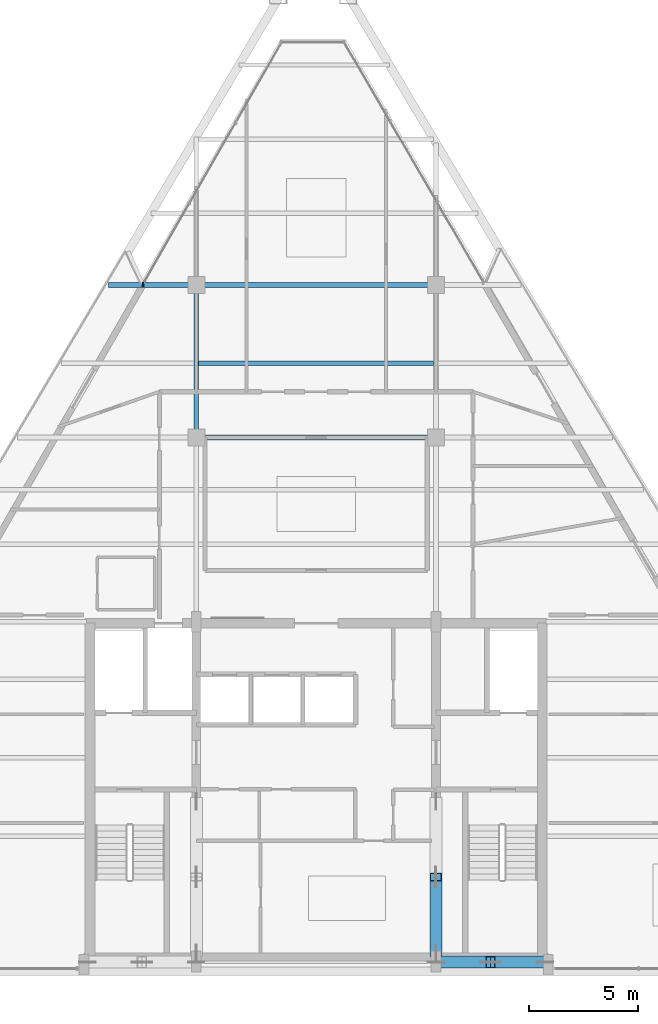
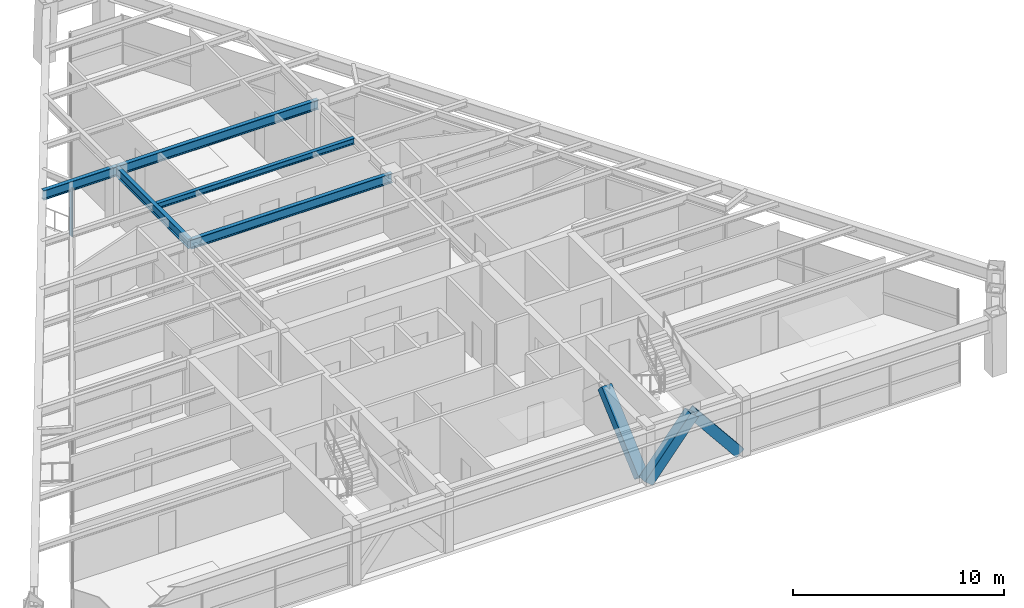
# One storey, part 4 of 13: 5 beams, 5 members, 1 element without a shape of its own.
"""IFC4 building model written with IfcOpenShell, lengths in metres."""

import ifcopenshell
import ifcopenshell.guid

model = None  # the IFC model being written
_history = None  # IfcOwnerHistory: only IFC2X3 demands one
_inside = {}  # id of a spatial element -> (the spatial element, [elements in it])
_under = {}  # id of a project, library or spatial element -> (it, [spatial elements below it])
_declared = {}  # id of a project -> (the project, [libraries it declares])
_typed = {}  # id of a type object -> (the type object, [elements of that type])
_made_of = {}  # id of a material, layer set ... -> (it, [elements and type objects made of it])


def new_model(schema):
    """Start an empty IFC model of exactly this schema.

    Asked for "IFC4X3", IfcOpenShell would pick the latest addendum, in which some entities
    have other attributes; the version numbers below select the first issue.
    IFC2X3 requires an IfcOwnerHistory on every rooted entity: one is made here for all.
    """
    global model, _history
    if schema == "IFC4X3":
        model = ifcopenshell.file(schema_version=(4, 3, 0, 0))
    else:
        model = ifcopenshell.file(schema=schema)
    _inside.clear()
    _under.clear()
    _declared.clear()
    _typed.clear()
    _made_of.clear()
    _history = None
    if model.schema == "IFC2X3":
        org = make("IfcOrganization", Name="unknown")
        user = make(
            "IfcPersonAndOrganization",
            ThePerson=make("IfcPerson", FamilyName="unknown"),
            TheOrganization=org,
        )
        app = make(
            "IfcApplication",
            ApplicationDeveloper=org,
            Version="unknown",
            ApplicationFullName="unknown",
            ApplicationIdentifier="unknown",
        )
        _history = make(
            "IfcOwnerHistory",
            OwningUser=user,
            OwningApplication=app,
            ChangeAction="ADDED",
            CreationDate=0,
        )
    return model


def make(cls, **values):
    """One entity of the class cls with the attributes given. An attribute that is None is left unset."""
    return model.create_entity(
        cls, **{name: value for name, value in values.items() if value is not None}
    )


def rooted(cls, **values):
    """An entity with a GlobalId (a new one), such as an element, a storey or a relation."""
    return make(cls, GlobalId=ifcopenshell.guid.new(), OwnerHistory=_history, **values)


def si_unit(unit_type, name, prefix=None):
    """IfcSIUnit, for example si_unit("LENGTHUNIT", "METRE", prefix="MILLI")."""
    return make("IfcSIUnit", UnitType=unit_type, Prefix=prefix, Name=name)


def assignment(units):
    """IfcUnitAssignment: the units of a project."""
    return None if units is None else make("IfcUnitAssignment", Units=units)


def point(xyz):
    """IfcCartesianPoint."""
    return None if xyz is None else make("IfcCartesianPoint", Coordinates=xyz)


def direction(xyz):
    """IfcDirection."""
    return None if xyz is None else make("IfcDirection", DirectionRatios=xyz)


def frame(location, z_axis=None, x_axis=None):
    """IfcAxis2Placement3D, a coordinate frame: its origin and axes. An axis left out is left unset."""
    return make(
        "IfcAxis2Placement3D",
        Location=point(location),
        Axis=direction(z_axis),
        RefDirection=direction(x_axis),
    )


def frame_2d(location, x_axis=None):
    """IfcAxis2Placement2D, a coordinate frame in the plane: its origin and x axis."""
    return make(
        "IfcAxis2Placement2D", Location=point(location), RefDirection=direction(x_axis)
    )


def origin():
    """The frame at (0, 0, 0) with its axes left unset."""
    return frame((0.0, 0.0, 0.0))


def origin_2d():
    """The frame at (0, 0) in the plane with its x axis left unset."""
    return frame_2d((0.0, 0.0))


def place(relative_to, where):
    """IfcLocalPlacement: puts the frame where relative to a parent placement (None: the world)."""
    return make(
        "IfcLocalPlacement", PlacementRelTo=relative_to, RelativePlacement=where
    )


def context(
    kind, dimensions, precision=None, world=None, true_north=None, identifier=None
):
    """IfcGeometricRepresentationContext, for example the 3D "Model" context."""
    return make(
        "IfcGeometricRepresentationContext",
        ContextIdentifier=identifier,
        ContextType=kind,
        CoordinateSpaceDimension=dimensions,
        Precision=precision,
        WorldCoordinateSystem=world,
        TrueNorth=true_north,
    )


def subcontext(parent, identifier, kind, view, scale=None):
    """IfcGeometricRepresentationSubContext, for example "Body" below "Model"."""
    return make(
        "IfcGeometricRepresentationSubContext",
        ContextIdentifier=identifier,
        ContextType=kind,
        ParentContext=parent,
        TargetScale=scale,
        TargetView=view,
    )


def project(units=None, contexts=None):
    """IfcProject with its units and contexts."""
    return rooted(
        "IfcProject",
        Name="project",
        RepresentationContexts=contexts,
        UnitsInContext=assignment(units),
    )


def spatial(cls, under=None, at=None, **own):
    """A site, building, storey or space (cls), placed at a placement, below another one or the project."""
    s = rooted(cls, ObjectPlacement=at, **own)
    if under is not None:
        _under.setdefault(under.id(), (under, []))[1].append(s)
    return s


def profile(cls, at=None, kind="AREA", **sizes):
    """A parametric profile (cls). Its sizes go by their IFC names, for example OverallWidth=200.0."""
    return make(cls, ProfileType=kind, Position=at, **sizes)


def rectangle(**sizes):
    """IfcRectangleProfileDef."""
    return profile("IfcRectangleProfileDef", **sizes)


def hollow_rectangle(**sizes):
    """IfcRectangleHollowProfileDef."""
    return profile("IfcRectangleHollowProfileDef", **sizes)


def i_section(**sizes):
    """IfcIShapeProfileDef."""
    return profile("IfcIShapeProfileDef", **sizes)


def extrude(swept, where, along, depth):
    """IfcExtrudedAreaSolid: the profile swept, set in the frame where, extruded along a direction by depth."""
    return make(
        "IfcExtrudedAreaSolid",
        SweptArea=swept,
        Position=where,
        ExtrudedDirection=direction(along),
        Depth=depth,
    )


def shape(context_of_items, identifier, shape_type, items):
    """IfcShapeRepresentation: the items that make up one representation, for example the "Body"."""
    return make(
        "IfcShapeRepresentation",
        ContextOfItems=context_of_items,
        RepresentationIdentifier=identifier,
        RepresentationType=shape_type,
        Items=items,
    )


def source(mapping_origin, context_of_items, identifier, shape_type, items):
    """IfcRepresentationMap: a shape defined once, which mapped items show again and again."""
    return make(
        "IfcRepresentationMap",
        MappingOrigin=mapping_origin,
        MappedRepresentation=shape(context_of_items, identifier, shape_type, items),
    )


def transform(
    local_origin,
    x_axis=None,
    y_axis=None,
    z_axis=None,
    scale=None,
    scale2=None,
    scale3=None,
    uniform=True,
):
    """IfcCartesianTransformationOperator3D, or its non-uniform kind. x_axis, y_axis, z_axis: its Axis1, 2, 3."""
    if uniform:
        return make(
            "IfcCartesianTransformationOperator3D",
            Axis1=direction(x_axis),
            Axis2=direction(y_axis),
            LocalOrigin=point(local_origin),
            Scale=scale,
            Axis3=direction(z_axis),
        )
    return make(
        "IfcCartesianTransformationOperator3DnonUniform",
        Axis1=direction(x_axis),
        Axis2=direction(y_axis),
        LocalOrigin=point(local_origin),
        Scale=scale,
        Axis3=direction(z_axis),
        Scale2=scale2,
        Scale3=scale3,
    )


def mapped(mapping_source, mapping_target):
    """IfcMappedItem: shows the shape of a source again, moved by a transform."""
    return make(
        "IfcMappedItem", MappingSource=mapping_source, MappingTarget=mapping_target
    )


def material(Name=None, Category=None):
    """IfcMaterial."""
    return make("IfcMaterial", Name=Name, Category=Category)


def material_profile(
    of_material, cross_section, Name=None, Category=None, Priority=None
):
    """IfcMaterialProfile: a cross section and its material."""
    return make(
        "IfcMaterialProfile",
        Name=Name,
        Material=of_material,
        Profile=cross_section,
        Priority=Priority,
        Category=Category,
    )


def profile_set(profiles, Name=None, composite=None):
    """IfcMaterialProfileSet."""
    return make(
        "IfcMaterialProfileSet",
        Name=Name,
        MaterialProfiles=profiles,
        CompositeProfile=composite,
    )


def made_of(thing, what):
    """Note that an element or type object is made of a material, layer set ...; save() writes the relation."""
    if what is not None:
        _made_of.setdefault(what.id(), (what, []))[1].append(thing)
    return thing


def type_object(cls, material=None, **own):
    """A type object (cls), such as IfcWallType, which elements share."""
    return made_of(rooted(cls, **own), material)


def type_shapes(of_type, sources):
    """Give a type object the sources (RepresentationMaps) that its elements show as mapped items."""
    of_type.RepresentationMaps = sources


def element(
    cls,
    number,
    at=None,
    inside=None,
    cuts=None,
    type_object=None,
    material=None,
    context=None,
    identifier="Body",
    shape_type=None,
    held_by="IfcProductDefinitionShape",
    body=None,
    shapes=None,
    **own,
):
    """One element of the class cls, such as IfcWall. Its Tag is "e" and its number.

    at: its placement. inside: the storey or other place that contains it. cuts: it is an
    opening in that element (IfcRelVoidsElement). A single representation is given by context,
    identifier, shape_type and body (its items); several are given by shapes. held_by: the class
    of the entity that holds the representations. save() writes the other relations.
    """
    e = rooted(cls, Tag="e%d" % number, ObjectPlacement=at, **own)
    if body is not None:
        shapes = [shape(context, identifier, shape_type, body)]
    if shapes is not None:
        e.Representation = make(held_by, Representations=shapes)
    if inside is not None:
        _inside.setdefault(inside.id(), (inside, []))[1].append(e)
    if cuts is not None:
        rooted(
            "IfcRelVoidsElement", RelatingBuildingElement=cuts, RelatedOpeningElement=e
        )
    if type_object is not None:
        _typed.setdefault(type_object.id(), (type_object, []))[1].append(e)
    return made_of(e, material)


def aggregate(whole, parts):
    """IfcRelAggregates: a whole, such as a stair, and the parts it consists of."""
    return rooted("IfcRelAggregates", RelatingObject=whole, RelatedObjects=parts)


def save(model, path):
    """Write the relations noted so far, then the file.

    IfcRelAggregates (storeys below a building ...), IfcRelContainedInSpatialStructure (elements
    in a storey), IfcRelDefinesByType, IfcRelAssociatesMaterial and IfcRelDeclares: one each for
    every whole, place, type object, material and project.
    """
    for whole, parts in _under.values():
        aggregate(whole, parts)
    for where, things in _inside.values():
        rooted(
            "IfcRelContainedInSpatialStructure",
            RelatedElements=things,
            RelatingStructure=where,
        )
    for kind, things in _typed.values():
        rooted("IfcRelDefinesByType", RelatedObjects=things, RelatingType=kind)
    for what, things in _made_of.values():
        rooted("IfcRelAssociatesMaterial", RelatedObjects=things, RelatingMaterial=what)
    for by, libraries in _declared.values():
        rooted("IfcRelDeclares", RelatingContext=by, RelatedDefinitions=libraries)
    model.write(path)


model = new_model("IFC4")

# Units and contexts
model_context = context("Model", 3, precision=1e-05, world=origin(), true_north=direction((0.0, 1.0)))
body_context = subcontext(model_context, "Body", "Model", "MODEL_VIEW")
ifc_project = project(units=[si_unit("LENGTHUNIT", "METRE"), si_unit("AREAUNIT", "SQUARE_METRE"), si_unit("VOLUMEUNIT", "CUBIC_METRE"), si_unit("PLANEANGLEUNIT", "RADIAN"), si_unit("MASSUNIT", "GRAM", prefix="KILO")], contexts=[model_context])

# Site, building, storey
site_placement = place(None, origin())
site = spatial("IfcSite", under=ifc_project, at=site_placement, CompositionType="ELEMENT")
building_placement = place(site_placement, origin())
building = spatial("IfcBuilding", under=site, at=building_placement, Name="Varnakhor Terracotta Tower", CompositionType="ELEMENT")
storey_placement = place(building_placement, frame((0.0, 0.0, 290.25)))
storey = spatial("IfcBuildingStorey", under=building, at=storey_placement, Name="L76", CompositionType="ELEMENT", Elevation=290.25)

# Beams
ifc_material_1 = material(Name="Steel S355", Category="steel")
ifc_material_profile_1 = material_profile(ifc_material_1, i_section(OverallWidth=0.214111328125, OverallDepth=0.549072265625, WebThickness=0.014892578125, FlangeThickness=0.02392578125, FilletRadius=0.01806640625, at=origin_2d()), Name="W21X93")
ifc_profile_set_1 = profile_set([ifc_material_profile_1], Name="Steel S355")
beam_type_1 = type_object("IfcBeamType", Name="BM-W21X93", PredefinedType="BEAM", material=ifc_profile_set_1)
shared_shape_1 = source(origin(), body_context, "Body", "SweptSolid", [
    extrude(i_section(OverallWidth=0.214111328125, OverallDepth=0.549072265625, WebThickness=0.014892578125, FlangeThickness=0.02392578125, FilletRadius=0.01806640625, at=origin_2d()), origin(), (0.0, 0.0, 1.0), 7.0),
])
beam_1_placement = place(storey_placement, frame((-5.5, 24.5, 2.965576171875), z_axis=(0.0, 1.0, 0.0), x_axis=(-1.0, 0.0, 0.0)))
element("IfcBeam", 1, at=beam_1_placement, inside=storey, type_object=beam_type_1, Name="L76 Primary Girder NS2-W", PredefinedType="BEAM", context=body_context, shape_type="MappedRepresentation", body=[
    mapped(shared_shape_1, transform((0.0, 0.0, 0.0), scale=1.0)),
])
shared_shape_2 = source(origin(), body_context, "Body", "SweptSolid", [
    extrude(i_section(OverallWidth=0.214111328125, OverallDepth=0.549072265625, WebThickness=0.014892578125, FlangeThickness=0.02392578125, FilletRadius=0.01806640625, at=origin_2d()), origin(), (0.0, 0.0, 1.0), 11.0),
])
for number, where, z_axis, x_axis, name in (
    (2, (-5.5, 24.5, 2.965576171875), (1.0, 0.0, 0.0), (0.0, 1.0, 0.0), "L76 Primary Girder EW2-2"),
    (3, (-5.5, 31.5, 2.965576171875), (1.0, 0.0, 0.0), (0.0, 1.0, 0.0), "L76 Primary Girder EW3-2"),
):
    element("IfcBeam", number, at=place(storey_placement, frame(where, z_axis=z_axis, x_axis=x_axis)), inside=storey, type_object=beam_type_1, Name=name, PredefinedType="BEAM", context=body_context, shape_type="MappedRepresentation", body=[
        mapped(shared_shape_2, transform((0.0, 0.0, 0.0), scale=1.0)),
    ])
ifc_material_profile_2 = material_profile(ifc_material_1, i_section(OverallWidth=0.202880859375, OverallDepth=0.346923828125, WebThickness=0.0078125, FlangeThickness=0.013427734375, FilletRadius=0.01806640625, at=origin_2d()), Name="W14X43")
ifc_profile_set_2 = profile_set([ifc_material_profile_2], Name="Steel S355")
beam_type_2 = type_object("IfcBeamType", Name="JST-W14X43", PredefinedType="JOIST", material=ifc_profile_set_2)
shared_shape_3 = source(origin(), body_context, "Body", "SweptSolid", [
    extrude(i_section(OverallWidth=0.202880859375, OverallDepth=0.346923828125, WebThickness=0.0078125, FlangeThickness=0.013427734375, FilletRadius=0.01806640625, at=origin_2d()), origin(), (0.0, 0.0, 1.0), 10.7939453125),
])
beam_2_placement = place(storey_placement, frame((-5.39697265625, 27.89990234375, 3.06640625), z_axis=(1.0, 0.0, 0.0), x_axis=(0.0, 1.0, 0.0)))
element("IfcBeam", 4, at=beam_2_placement, inside=storey, type_object=beam_type_2, Name="L76 Composite Floor Joist 6-2", PredefinedType="JOIST", context=body_context, shape_type="MappedRepresentation", body=[
    mapped(shared_shape_3, transform((0.0, 0.0, 0.0), scale=1.0)),
])

# Members
ifc_material_profile_3 = material_profile(ifc_material_1, hollow_rectangle(XDim=0.550048828125, YDim=0.550048828125, WallThickness=0.034912109375, at=origin_2d()), Name="HSS550X550X35")
ifc_profile_set_3 = profile_set([ifc_material_profile_3], Name="Steel S355")
member_type_1 = type_object("IfcMemberType", Name="MBR-MEGA-550", PredefinedType="BRACE", material=ifc_profile_set_3)
shared_shape_4 = source(origin(), body_context, "Body", "SweptSolid", [
    extrude(hollow_rectangle(XDim=0.550048828125, YDim=0.550048828125, WallThickness=0.034912109375, at=origin_2d()), origin(), (0.0, 0.0, 1.0), 3.974853515625),
])
for number, where, z_axis, x_axis, name in (
    (5, (5.5, 0.419921875, 0.0), (0.628970263838, 0.0, 0.777429358339), (0.0, 1.0, 0.0), "L76 Core Coupled Brace CSEA"),
    (6, (10.5, 0.419921875, 0.0), (-0.628970263838, 0.0, 0.777429358339), (0.0, -1.0, 0.0), "L76 Core Coupled Brace CSEB"),
):
    element("IfcMember", number, at=place(storey_placement, frame(where, z_axis=z_axis, x_axis=x_axis)), inside=storey, type_object=member_type_1, Name=name, PredefinedType="BRACE", context=body_context, shape_type="MappedRepresentation", body=[
        mapped(shared_shape_4, transform((0.0, 0.0, 0.0), scale=1.0)),
    ])
shared_shape_5 = source(origin(), body_context, "Body", "SweptSolid", [
    extrude(hollow_rectangle(XDim=0.550048828125, YDim=0.550048828125, WallThickness=0.034912109375, at=origin_2d()), origin(), (0.0, 0.0, 1.0), 4.650146484375),
])
member_1_placement = place(storey_placement, frame((5.5, 0.85009765625, 0.0), z_axis=(0.0, 0.74726736397, 0.664523503532), x_axis=(-1.0, 0.0, 0.0)))
element("IfcMember", 7, at=member_1_placement, inside=storey, type_object=member_type_1, Name="L76 Core Coupled Brace CWEA", PredefinedType="BRACE", context=body_context, shape_type="MappedRepresentation", body=[
    mapped(shared_shape_5, transform((0.0, 0.0, 0.0), scale=1.0)),
])

# Beam
shared_shape_6 = source(origin(), body_context, "Body", "SweptSolid", [
    extrude(i_section(OverallWidth=0.214111328125, OverallDepth=0.549072265625, WebThickness=0.014892578125, FlangeThickness=0.02392578125, FilletRadius=0.01806640625, at=origin_2d()), origin(), (0.0, 0.0, 1.0), 4.041748046875),
])
beam_3_placement = place(storey_placement, frame((-9.541748046875, 31.5, 2.965576171875), z_axis=(1.0, 0.0, 0.0), x_axis=(0.0, 1.0, 0.0)))
element("IfcBeam", 8, at=beam_3_placement, inside=storey, type_object=beam_type_1, Name="L76 Primary Girder EW3-1", PredefinedType="BEAM", context=body_context, shape_type="MappedRepresentation", body=[
    mapped(shared_shape_6, transform((0.0, 0.0, 0.0), scale=1.0)),
])

# Curtain wall, members
ifc_material_2 = material(Name="Anodised Aluminium Curtain Wall System", Category="aluminium")
curtain_wall_type = type_object("IfcCurtainWallType", Name="CW-SYS-HOTEL-LOGGIA", PredefinedType="NOTDEFINED", material=ifc_material_2)
curtain_wall_placement = place(storey_placement, origin())
curtain_wall = element("IfcCurtainWall", 9, at=curtain_wall_placement, inside=storey, type_object=curtain_wall_type, Name="L76 W Facet Curtain Wall 2", PredefinedType="NOTDEFINED")
ifc_material_3 = material(Name="Anodised Aluminium 6063-T6", Category="aluminium")
ifc_material_profile_4 = material_profile(ifc_material_3, rectangle(XDim=0.06494140625, YDim=0.159912109375, at=origin_2d()), Name="ALU MULLION 65x160")
ifc_profile_set_4 = profile_set([ifc_material_profile_4], Name="Anodised Aluminium 6063-T6")
member_type_2 = type_object("IfcMemberType", Name="CWM-04", PredefinedType="MULLION", material=ifc_profile_set_4)
shared_shape_7 = source(origin(), body_context, "Body", "SweptSolid", [
    extrude(rectangle(XDim=0.06494140625, YDim=0.159912109375, at=origin_2d()), origin(), (0.0, 0.0, 1.0), 2.820068359375),
])
type_shapes(member_type_2, [shared_shape_7])
member_2_placement = place(storey_placement, frame((-7.95263671875, 31.539306640625, 0.0), z_axis=(0.0, 0.0, 1.0), x_axis=(1.0, 0.0, 0.0)))
member_2 = element("IfcMember", 10, at=member_2_placement, type_object=member_type_2, Name="L76 W Facet Curtain Wall 2 Mullion 1", PredefinedType="MULLION", context=body_context, shape_type="MappedRepresentation", body=[
    mapped(shared_shape_7, transform((0.0, 0.0, 0.0), scale=1.0)),
])
member_3_placement = place(storey_placement, frame((-7.9501953125, 31.50341796875, 0.0), z_axis=(0.0, 0.0, 1.0), x_axis=(1.0, 0.0, 0.0)))
member_3 = element("IfcMember", 11, at=member_3_placement, type_object=member_type_2, Name="L76 W Loggia Jamb Closure Mullion 2", PredefinedType="MULLION", context=body_context, shape_type="MappedRepresentation", body=[
    mapped(shared_shape_7, transform((0.0, 0.0, 0.0), scale=1.0)),
])
aggregate(curtain_wall, [member_2, member_3])

save(model, "model.ifc")
